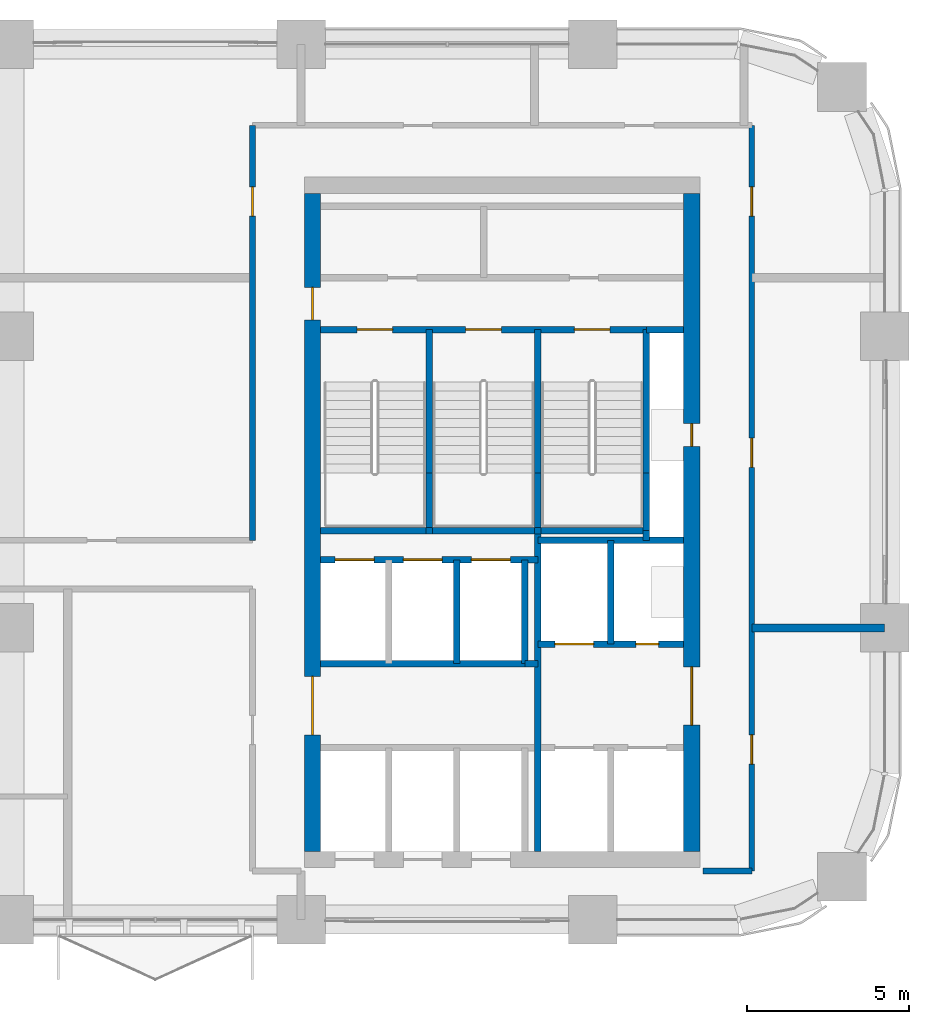
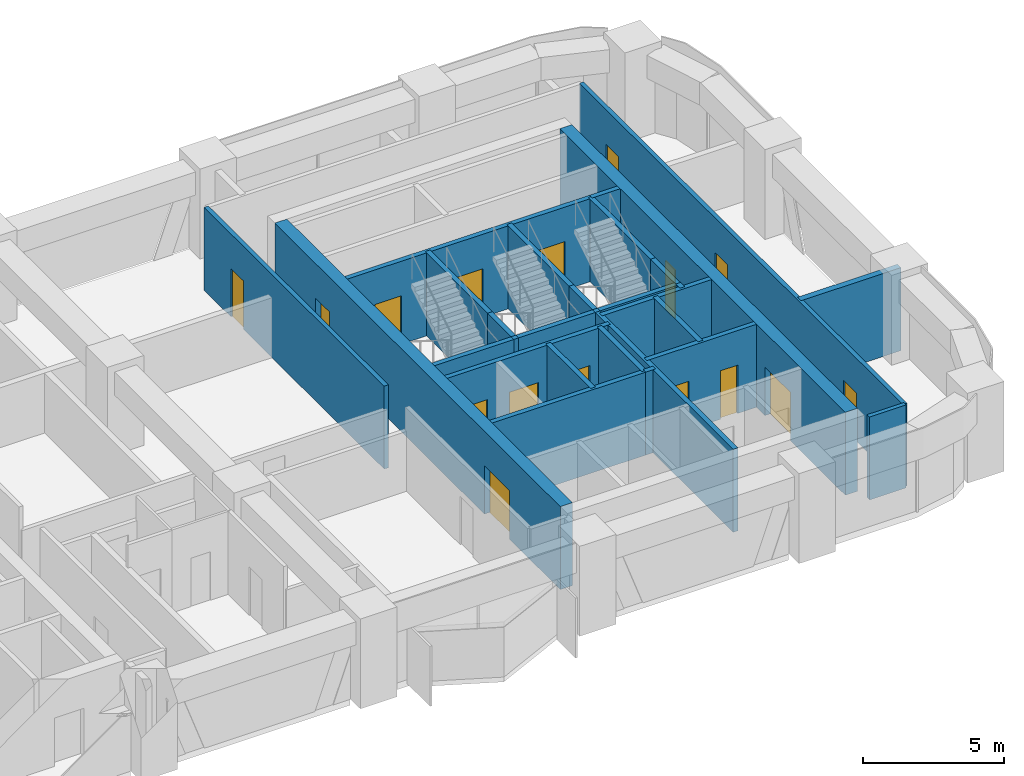
# One storey, part 11 of 14: 29 walls, 16 doors, 16 openings.
"""IFC4 building model written with IfcOpenShell, lengths in metres."""

from ifc_helpers import new_model, si_unit, direction, frame, frame_2d, origin, place, context, subcontext, project, spatial, rectangle, extrude, material, layer, layer_set, type_object, element, fill, save


model = new_model("IFC4")

# Units and contexts
model_context = context("Model", 3, precision=1e-05, world=origin(), true_north=direction((0.0, 1.0)))
body_context = subcontext(model_context, "Body", "Model", "MODEL_VIEW")
ifc_project = project(units=[si_unit("LENGTHUNIT", "METRE"), si_unit("AREAUNIT", "SQUARE_METRE"), si_unit("VOLUMEUNIT", "CUBIC_METRE"), si_unit("PLANEANGLEUNIT", "RADIAN"), si_unit("MASSUNIT", "GRAM", prefix="KILO")], contexts=[model_context])

# Site, building, storey
site_placement = place(None, origin())
site = spatial("IfcSite", under=ifc_project, at=site_placement, CompositionType="ELEMENT")
building_placement = place(site_placement, origin())
building = spatial("IfcBuilding", under=site, at=building_placement, Name="Tessera Arch", CompositionType="ELEMENT")
storey_placement = place(building_placement, frame((0.0, 0.0, 146.60009765625)))
storey = spatial("IfcBuildingStorey", under=building, at=storey_placement, Name="L34", CompositionType="ELEMENT", Elevation=146.60009765625)

# Wall
ifc_material_1 = material(Name="Gypsum board on steel stud", Category="steel")
ifc_layer_1 = layer(ifc_material_1, 0.125)
ifc_layer_set_1 = layer_set([ifc_layer_1], Name="Core partition 125 EI 60")
wall_type_1 = type_object("IfcWallType", Name="Core partition 125 EI 60", PredefinedType="PARTITIONING", material=ifc_layer_set_1)
wall_1_placement = place(storey_placement, frame((42.89990234375, 34.89990234375, 0.0), z_axis=(0.0, 0.0, 1.0), x_axis=(1.0, 0.0, 0.0)))
element("IfcWall", 1, at=wall_1_placement, inside=storey, type_object=wall_type_1, Name="L34 C1 partition wall 19", PredefinedType="PARTITIONING", context=body_context, shape_type="SweptSolid", body=[
    extrude(rectangle(XDim=0.400146484375, YDim=0.199951171875, at=frame_2d((0.2001953125, 0.0))), origin(), (0.0, 0.0, 1.0), 3.599853515625),
])

# Wall, openings, doors
ifc_material_2 = material(Name="Concrete C60/75", Category="concrete")
ifc_layer_2 = layer(ifc_material_2, 0.5)
ifc_layer_set_2 = layer_set([ifc_layer_2], Name="Core shell wall 500 C60-75")
wall_type_2 = type_object("IfcWallType", Name="Core shell wall 500 C60-75", PredefinedType="SHEAR", material=ifc_layer_set_2)
wall_2_placement = place(storey_placement, frame((36.35009765625, 29.10009765625, 0.0), z_axis=(0.0, 0.0, 1.0), x_axis=(0.0, 1.0, 0.0)))
wall_2 = element("IfcWall", 2, at=wall_2_placement, inside=storey, type_object=wall_type_2, Name="L34 C1 core wall W", PredefinedType="SHEAR", context=body_context, shape_type="SweptSolid", body=[
    extrude(rectangle(XDim=20.2998046875, YDim=0.5, at=frame_2d((10.14990234375, 0.0))), origin(), (0.0, 0.0, 1.0), 3.599853515625),
])
opening_1_placement = place(wall_2_placement, frame((3.60009765625, 0.0, 0.0)))
opening_1 = element("IfcOpeningElement", 3, at=opening_1_placement, cuts=wall_2, Name="Opening L34-C10", PredefinedType="OPENING", context=body_context, shape_type="SweptSolid", body=[
    extrude(rectangle(XDim=1.800048828125, YDim=2.10009765625, at=frame_2d((0.89990234375, 1.050048828125))), frame((0.0, 0.260009765625, 0.0), z_axis=(0.0, -1.0, 0.0), x_axis=(1.0, 0.0, 0.0)), (0.0, 0.0, 1.0), 0.52001953125),
])
opening_2_placement = place(wall_2_placement, frame((16.39990234375, 0.0, 0.0)))
opening_2 = element("IfcOpeningElement", 4, at=opening_2_placement, cuts=wall_2, Name="Opening L34-C17", PredefinedType="OPENING", context=body_context, shape_type="SweptSolid", body=[
    extrude(rectangle(XDim=1.0, YDim=2.10009765625, at=frame_2d((0.5, 1.050048828125))), frame((0.0, 0.260009765625, 0.0), z_axis=(0.0, -1.0, 0.0), x_axis=(1.0, 0.0, 0.0)), (0.0, 0.0, 1.0), 0.52001953125),
])
ifc_material_3 = material(Name="Steel door leaf", Category="steel")
door_type_1 = type_object("IfcDoorType", Name="Corridor door FD60 1000 x 2100", OperationType="SINGLE_SWING_LEFT", PredefinedType="DOOR", material=ifc_material_3)
door_1_placement = place(opening_2_placement, origin())
door_1 = element("IfcDoor", 5, at=door_1_placement, inside=storey, type_object=door_type_1, Name="L34 C1 door 17 C17 type D12", OperationType="SINGLE_SWING_RIGHT", OverallHeight=2.10009765625, OverallWidth=1.0, PredefinedType="DOOR", context=body_context, shape_type="SweptSolid", body=[
    extrude(rectangle(XDim=1.0, YDim=2.10009765625, at=frame_2d((0.5, 1.050048828125))), frame((0.0, 0.02490234375, 0.0), z_axis=(0.0, -1.0, 0.0), x_axis=(1.0, 0.0, 0.0)), (0.0, 0.0, 1.0), 0.050048828125),
])
fill(opening_2, door_1)
ifc_material_4 = material(Name="Glazed steel door leaf", Category="steel")
door_type_2 = type_object("IfcDoorType", Name="Lobby double door FD30S 1800 x 2100", OperationType="DOUBLE_DOOR_SINGLE_SWING", PredefinedType="DOOR", material=ifc_material_4)
door_2_placement = place(opening_1_placement, origin())
door_2 = element("IfcDoor", 6, at=door_2_placement, inside=storey, type_object=door_type_2, Name="L34 C1 door 10 C10 type D06", OperationType="DOUBLE_DOOR_SINGLE_SWING", OverallHeight=2.10009765625, OverallWidth=1.800048828125, PredefinedType="DOOR", context=body_context, shape_type="SweptSolid", body=[
    extrude(rectangle(XDim=1.800048828125, YDim=2.10009765625, at=frame_2d((0.89990234375, 1.050048828125))), frame((0.0, 0.02490234375, 0.0), z_axis=(0.0, -1.0, 0.0), x_axis=(1.0, 0.0, 0.0)), (0.0, 0.0, 1.0), 0.050048828125),
])
fill(opening_1, door_2)

wall_3_placement = place(storey_placement, frame((48.050048828125, 29.10009765625, 0.0), z_axis=(0.0, 0.0, 1.0), x_axis=(0.0, 1.0, 0.0)))
wall_3 = element("IfcWall", 7, at=wall_3_placement, inside=storey, type_object=wall_type_2, Name="L34 C1 core wall E", PredefinedType="SHEAR", context=body_context, shape_type="SweptSolid", body=[
    extrude(rectangle(XDim=20.2998046875, YDim=0.5, at=frame_2d((10.14990234375, 0.0))), origin(), (0.0, 0.0, 1.0), 3.599853515625),
])
opening_3_placement = place(wall_3_placement, frame((12.5, 0.0, 0.0)))
opening_3 = element("IfcOpeningElement", 8, at=opening_3_placement, cuts=wall_3, Name="Opening L34-C14", PredefinedType="OPENING", context=body_context, shape_type="SweptSolid", body=[
    extrude(rectangle(XDim=0.699951171875, YDim=2.10009765625, at=frame_2d((0.35009765625, 1.050048828125))), frame((0.0, 0.260009765625, 0.0), z_axis=(0.0, -1.0, 0.0), x_axis=(1.0, 0.0, 0.0)), (0.0, 0.0, 1.0), 0.52001953125),
])
opening_4_placement = place(wall_3_placement, frame((3.89990234375, 0.0, 0.0)))
opening_4 = element("IfcOpeningElement", 9, at=opening_4_placement, cuts=wall_3, Name="Opening L34-C15", PredefinedType="OPENING", context=body_context, shape_type="SweptSolid", body=[
    extrude(rectangle(XDim=1.800048828125, YDim=2.10009765625, at=frame_2d((0.89990234375, 1.050048828125))), frame((0.0, 0.260009765625, 0.0), z_axis=(0.0, -1.0, 0.0), x_axis=(1.0, 0.0, 0.0)), (0.0, 0.0, 1.0), 0.52001953125),
])
ifc_material_5 = material(Name="Glazed steel door leaf", Category="steel")
door_type_3 = type_object("IfcDoorType", Name="Lobby double door FD60 1800 x 2100", OperationType="DOUBLE_DOOR_SINGLE_SWING", PredefinedType="DOOR", material=ifc_material_5)
door_3_placement = place(opening_4_placement, origin())
door_3 = element("IfcDoor", 10, at=door_3_placement, inside=storey, type_object=door_type_3, Name="L34 C1 door 15 C15 type D19", OperationType="DOUBLE_DOOR_SINGLE_SWING", OverallHeight=2.10009765625, OverallWidth=1.800048828125, PredefinedType="DOOR", context=body_context, shape_type="SweptSolid", body=[
    extrude(rectangle(XDim=1.800048828125, YDim=2.10009765625, at=frame_2d((0.89990234375, 1.050048828125))), frame((0.0, 0.02490234375, 0.0), z_axis=(0.0, -1.0, 0.0), x_axis=(1.0, 0.0, 0.0)), (0.0, 0.0, 1.0), 0.050048828125),
])
fill(opening_4, door_3)
ifc_material_6 = material(Name="Steel door leaf", Category="steel")
door_type_4 = type_object("IfcDoorType", Name="Service shaft door FD60 700 x 2100", OperationType="SINGLE_SWING_LEFT", PredefinedType="DOOR", material=ifc_material_6)
door_4_placement = place(opening_3_placement, origin())
door_4 = element("IfcDoor", 11, at=door_4_placement, inside=storey, type_object=door_type_4, Name="L34 C1 door 14 C14 type D07", OperationType="SINGLE_SWING_RIGHT", OverallHeight=2.10009765625, OverallWidth=0.699951171875, PredefinedType="DOOR", context=body_context, shape_type="SweptSolid", body=[
    extrude(rectangle(XDim=0.699951171875, YDim=2.10009765625, at=frame_2d((0.35009765625, 1.050048828125))), frame((0.0, 0.02490234375, 0.0), z_axis=(0.0, -1.0, 0.0), x_axis=(1.0, 0.0, 0.0)), (0.0, 0.0, 1.0), 0.050048828125),
])
fill(opening_3, door_4)

# Wall
ifc_material_7 = material(Name="Gypsum board on deep steel stud with mineral wool", Category="steel")
ifc_layer_3 = layer(ifc_material_7, 0.175048828125)
ifc_layer_set_3 = layer_set([ifc_layer_3], Name="Corridor wall 175 EI 60")
wall_type_3 = type_object("IfcWallType", Name="Corridor wall 175 EI 60", PredefinedType="PARTITIONING", material=ifc_layer_set_3)
wall_4_placement = place(storey_placement, frame((48.39990234375, 28.5, 0.0), z_axis=(0.0, 0.0, 1.0), x_axis=(1.0, 0.0, 0.0)))
element("IfcWall", 12, at=wall_4_placement, inside=storey, type_object=wall_type_3, Name="L34 partition 4", PredefinedType="PARTITIONING", context=body_context, shape_type="SweptSolid", body=[
    extrude(rectangle(XDim=1.5, YDim=0.175048828125, at=frame_2d((0.75, 0.0))), origin(), (0.0, 0.0, 1.0), 3.599853515625),
])

# Wall, opening, door
wall_5_placement = place(storey_placement, frame((34.5, 38.699951171875, 0.0), z_axis=(0.0, 0.0, 1.0), x_axis=(0.0, 1.0, 0.0)))
wall_5 = element("IfcWall", 13, at=wall_5_placement, inside=storey, type_object=wall_type_3, Name="L34 partition 13", PredefinedType="PARTITIONING", context=body_context, shape_type="SweptSolid", body=[
    extrude(rectangle(XDim=12.800048828125, YDim=0.175048828125, at=frame_2d((6.39990234375, 0.0))), origin(), (0.0, 0.0, 1.0), 3.599853515625),
])
opening_5_placement = place(wall_5_placement, frame((10.0, 0.0, 0.0)))
opening_5 = element("IfcOpeningElement", 14, at=opening_5_placement, cuts=wall_5, Name="Opening L34-D015", PredefinedType="OPENING", context=body_context, shape_type="SweptSolid", body=[
    extrude(rectangle(XDim=0.89990234375, YDim=2.10009765625, at=frame_2d((0.449951171875, 1.050048828125))), frame((0.0, 0.097412109375, 0.0), z_axis=(0.0, -1.0, 0.0), x_axis=(1.0, 0.0, 0.0)), (0.0, 0.0, 1.0), 0.195068359375),
])
ifc_material_8 = material(Name="Timber door leaf", Category="wood")
door_type_5 = type_object("IfcDoorType", Name="Room door 900 x 2100", OperationType="SINGLE_SWING_LEFT", PredefinedType="DOOR", material=ifc_material_8)
door_5_placement = place(opening_5_placement, origin())
door_5 = element("IfcDoor", 15, at=door_5_placement, inside=storey, type_object=door_type_5, Name="L34 door D015 type D01", OperationType="SINGLE_SWING_LEFT", OverallHeight=2.10009765625, OverallWidth=0.89990234375, PredefinedType="DOOR", context=body_context, shape_type="SweptSolid", body=[
    extrude(rectangle(XDim=0.89990234375, YDim=2.10009765625, at=frame_2d((0.449951171875, 1.050048828125))), frame((0.0, 0.02490234375, 0.0), z_axis=(0.0, -1.0, 0.0), x_axis=(1.0, 0.0, 0.0)), (0.0, 0.0, 1.0), 0.050048828125),
])
fill(opening_5, door_5)

# Wall, openings, doors
wall_6_placement = place(storey_placement, frame((49.89990234375, 28.5, 0.0), z_axis=(0.0, 0.0, 1.0), x_axis=(0.0, 1.0, 0.0)))
wall_6 = element("IfcWall", 16, at=wall_6_placement, inside=storey, type_object=wall_type_3, Name="L34 partition 14", PredefinedType="PARTITIONING", context=body_context, shape_type="SweptSolid", body=[
    extrude(rectangle(XDim=23.0, YDim=0.175048828125, at=frame_2d((11.5, 0.0))), origin(), (0.0, 0.0, 1.0), 3.599853515625),
])
opening_6_placement = place(wall_6_placement, frame((3.300048828125, 0.0, 0.0)))
opening_6 = element("IfcOpeningElement", 17, at=opening_6_placement, cuts=wall_6, Name="Opening L34-D002", PredefinedType="OPENING", context=body_context, shape_type="SweptSolid", body=[
    extrude(rectangle(XDim=0.89990234375, YDim=2.10009765625, at=frame_2d((0.449951171875, 1.050048828125))), frame((0.0, 0.097412109375, 0.0), z_axis=(0.0, -1.0, 0.0), x_axis=(1.0, 0.0, 0.0)), (0.0, 0.0, 1.0), 0.195068359375),
])
opening_7_placement = place(wall_6_placement, frame((12.449951171875, 0.0, 0.0)))
opening_7 = element("IfcOpeningElement", 18, at=opening_7_placement, cuts=wall_6, Name="Opening L34-D010", PredefinedType="OPENING", context=body_context, shape_type="SweptSolid", body=[
    extrude(rectangle(XDim=0.89990234375, YDim=2.10009765625, at=frame_2d((0.449951171875, 1.050048828125))), frame((0.0, 0.097412109375, 0.0), z_axis=(0.0, -1.0, 0.0), x_axis=(1.0, 0.0, 0.0)), (0.0, 0.0, 1.0), 0.195068359375),
])
opening_8_placement = place(wall_6_placement, frame((20.199951171875, 0.0, 0.0)))
opening_8 = element("IfcOpeningElement", 19, at=opening_8_placement, cuts=wall_6, Name="Opening L34-D014", PredefinedType="OPENING", context=body_context, shape_type="SweptSolid", body=[
    extrude(rectangle(XDim=0.89990234375, YDim=2.10009765625, at=frame_2d((0.449951171875, 1.050048828125))), frame((0.0, 0.097412109375, 0.0), z_axis=(0.0, -1.0, 0.0), x_axis=(1.0, 0.0, 0.0)), (0.0, 0.0, 1.0), 0.195068359375),
])
door_6_placement = place(opening_6_placement, origin())
door_6 = element("IfcDoor", 20, at=door_6_placement, inside=storey, type_object=door_type_5, Name="L34 door D002 type D01", OperationType="SINGLE_SWING_LEFT", OverallHeight=2.10009765625, OverallWidth=0.89990234375, PredefinedType="DOOR", context=body_context, shape_type="SweptSolid", body=[
    extrude(rectangle(XDim=0.89990234375, YDim=2.10009765625, at=frame_2d((0.449951171875, 1.050048828125))), frame((0.0, 0.02490234375, 0.0), z_axis=(0.0, -1.0, 0.0), x_axis=(1.0, 0.0, 0.0)), (0.0, 0.0, 1.0), 0.050048828125),
])
fill(opening_6, door_6)
door_7_placement = place(opening_7_placement, origin())
door_7 = element("IfcDoor", 21, at=door_7_placement, inside=storey, type_object=door_type_5, Name="L34 door D010 type D01", OperationType="SINGLE_SWING_LEFT", OverallHeight=2.10009765625, OverallWidth=0.89990234375, PredefinedType="DOOR", context=body_context, shape_type="SweptSolid", body=[
    extrude(rectangle(XDim=0.89990234375, YDim=2.10009765625, at=frame_2d((0.449951171875, 1.050048828125))), frame((0.0, 0.02490234375, 0.0), z_axis=(0.0, -1.0, 0.0), x_axis=(1.0, 0.0, 0.0)), (0.0, 0.0, 1.0), 0.050048828125),
])
fill(opening_7, door_7)
door_8_placement = place(opening_8_placement, origin())
door_8 = element("IfcDoor", 22, at=door_8_placement, inside=storey, type_object=door_type_5, Name="L34 door D014 type D01", OperationType="SINGLE_SWING_LEFT", OverallHeight=2.10009765625, OverallWidth=0.89990234375, PredefinedType="DOOR", context=body_context, shape_type="SweptSolid", body=[
    extrude(rectangle(XDim=0.89990234375, YDim=2.10009765625, at=frame_2d((0.449951171875, 1.050048828125))), frame((0.0, 0.02490234375, 0.0), z_axis=(0.0, -1.0, 0.0), x_axis=(1.0, 0.0, 0.0)), (0.0, 0.0, 1.0), 0.050048828125),
])
fill(opening_8, door_8)

# Walls
ifc_material_9 = material(Name="Double gypsum board on twin steel stud with acoustic mineral wool", Category="steel")
ifc_layer_4 = layer(ifc_material_9, 0.25)
ifc_layer_set_4 = layer_set([ifc_layer_4], Name="Party wall 250 EI 60")
wall_type_4 = type_object("IfcWallType", Name="Party wall 250 EI 60", PredefinedType="PARTITIONING", material=ifc_layer_set_4)
wall_7_placement = place(storey_placement, frame((49.89990234375, 36.0, 0.0), z_axis=(0.0, 0.0, 1.0), x_axis=(1.0, 0.0, 0.0)))
element("IfcWall", 23, at=wall_7_placement, inside=storey, type_object=wall_type_4, Name="L34 partition 19", PredefinedType="PARTITIONING", context=body_context, shape_type="SweptSolid", body=[
    extrude(rectangle(XDim=4.10009765625, YDim=0.25, at=frame_2d((2.050048828125, 0.0))), origin(), (0.0, 0.0, 1.0), 3.599853515625),
])
ifc_material_10 = material(Name="Concrete C40/50", Category="concrete")
ifc_layer_5 = layer(ifc_material_10, 0.199951171875)
ifc_layer_set_5 = layer_set([ifc_layer_5], Name="Shaft wall 200 EI 120")
wall_type_5 = type_object("IfcWallType", Name="Shaft wall 200 EI 120", PredefinedType="SOLIDWALL", material=ifc_layer_set_5)
for number, where, z_axis, x_axis, name in (
    (24, (40.800048828125, 34.89990234375, 0.0), (0.0, 0.0, 1.0), (0.0, 1.0, 0.0), "L34 C1 shaft wall 6"),
    (25, (42.89990234375, 34.89990234375, 0.0), (0.0, 0.0, 1.0), (0.0, 1.0, 0.0), "L34 C1 shaft wall 9"),
):
    element("IfcWall", number, at=place(storey_placement, frame(where, z_axis=z_axis, x_axis=x_axis)), inside=storey, type_object=wall_type_5, Name=name, PredefinedType="SOLIDWALL", context=body_context, shape_type="SweptSolid", body=[
        extrude(rectangle(XDim=3.2001953125, YDim=0.199951171875, at=frame_2d((1.60009765625, 0.0))), origin(), (0.0, 0.0, 1.0), 3.599853515625),
    ])
wall_8_placement = place(storey_placement, frame((43.300048828125, 29.10009765625, 0.0), z_axis=(0.0, 0.0, 1.0), x_axis=(0.0, 1.0, 0.0)))
element("IfcWall", 26, at=wall_8_placement, inside=storey, type_object=wall_type_5, Name="L34 C1 shaft wall 10", PredefinedType="SOLIDWALL", context=body_context, shape_type="SweptSolid", body=[
    extrude(rectangle(XDim=9.89990234375, YDim=0.199951171875, at=frame_2d((4.949951171875, 0.0))), origin(), (0.0, 0.0, 1.0), 3.599853515625),
])
wall_9_placement = place(storey_placement, frame((45.550048828125, 35.5, 0.0), z_axis=(0.0, 0.0, 1.0), x_axis=(0.0, 1.0, 0.0)))
element("IfcWall", 27, at=wall_9_placement, inside=storey, type_object=wall_type_5, Name="L34 C1 shaft wall 14", PredefinedType="SOLIDWALL", context=body_context, shape_type="SweptSolid", body=[
    extrude(rectangle(XDim=3.199951171875, YDim=0.199951171875, at=frame_2d((1.60009765625, 0.0))), origin(), (0.0, 0.0, 1.0), 3.599853515625),
])
wall_10_placement = place(storey_placement, frame((46.64990234375, 38.699951171875, 0.0), z_axis=(0.0, 0.0, 1.0), x_axis=(0.0, 1.0, 0.0)))
element("IfcWall", 28, at=wall_10_placement, inside=storey, type_object=wall_type_5, Name="L34 C1 shaft wall 15", PredefinedType="SOLIDWALL", context=body_context, shape_type="SweptSolid", body=[
    extrude(rectangle(XDim=0.300048828125, YDim=0.199951171875, at=frame_2d((0.14990234375, 0.0))), origin(), (0.0, 0.0, 1.0), 3.599853515625),
])
wall_11_placement = place(storey_placement, frame((36.60009765625, 34.89990234375, 0.0), z_axis=(0.0, 0.0, 1.0), x_axis=(1.0, 0.0, 0.0)))
element("IfcWall", 29, at=wall_11_placement, inside=storey, type_object=wall_type_5, Name="L34 C1 shaft wall 20", PredefinedType="SOLIDWALL", context=body_context, shape_type="SweptSolid", body=[
    extrude(rectangle(XDim=6.2998046875, YDim=0.199951171875, at=frame_2d((3.14990234375, 0.0))), origin(), (0.0, 0.0, 1.0), 3.599853515625),
])

# Wall, openings, doors
wall_12_placement = place(storey_placement, frame((43.300048828125, 35.5, 0.0), z_axis=(0.0, 0.0, 1.0), x_axis=(1.0, 0.0, 0.0)))
wall_12 = element("IfcWall", 30, at=wall_12_placement, inside=storey, type_object=wall_type_5, Name="L34 C1 shaft wall 21", PredefinedType="SOLIDWALL", context=body_context, shape_type="SweptSolid", body=[
    extrude(rectangle(XDim=4.5, YDim=0.199951171875, at=frame_2d((2.25, 0.0))), origin(), (0.0, 0.0, 1.0), 3.599853515625),
])
opening_9_placement = place(wall_12_placement, frame((0.52490234375, 0.0, 0.0)))
opening_9 = element("IfcOpeningElement", 31, at=opening_9_placement, cuts=wall_12, Name="Opening L34-C09", PredefinedType="OPENING", context=body_context, shape_type="SweptSolid", body=[
    extrude(rectangle(XDim=1.199951171875, YDim=2.10009765625, at=frame_2d((0.60009765625, 1.050048828125))), frame((0.0, 0.10986328125, 0.0), z_axis=(0.0, -1.0, 0.0), x_axis=(1.0, 0.0, 0.0)), (0.0, 0.0, 1.0), 0.219970703125),
])
opening_10_placement = place(wall_12_placement, frame((3.02490234375, 0.0, 0.0)))
opening_10 = element("IfcOpeningElement", 32, at=opening_10_placement, cuts=wall_12, Name="Opening L34-C16", PredefinedType="OPENING", context=body_context, shape_type="SweptSolid", body=[
    extrude(rectangle(XDim=0.699951171875, YDim=2.10009765625, at=frame_2d((0.35009765625, 1.050048828125))), frame((0.0, 0.10986328125, 0.0), z_axis=(0.0, -1.0, 0.0), x_axis=(1.0, 0.0, 0.0)), (0.0, 0.0, 1.0), 0.219970703125),
])
door_9_placement = place(opening_10_placement, origin())
door_9 = element("IfcDoor", 33, at=door_9_placement, inside=storey, type_object=door_type_4, Name="L34 C1 door 16 C16 type D07", OperationType="SINGLE_SWING_RIGHT", OverallHeight=2.10009765625, OverallWidth=0.699951171875, PredefinedType="DOOR", context=body_context, shape_type="SweptSolid", body=[
    extrude(rectangle(XDim=0.699951171875, YDim=2.10009765625, at=frame_2d((0.35009765625, 1.050048828125))), frame((0.0, 0.02490234375, 0.0), z_axis=(0.0, -1.0, 0.0), x_axis=(1.0, 0.0, 0.0)), (0.0, 0.0, 1.0), 0.050048828125),
])
fill(opening_10, door_9)
ifc_material_11 = material(Name="Stainless steel AISI 304", Category="steel")
door_type_6 = type_object("IfcDoorType", Name="Sliding landing door 1200 x 2100", OperationType="SLIDING_TO_LEFT", PredefinedType="DOOR", material=ifc_material_11)
door_10_placement = place(opening_9_placement, origin())
door_10 = element("IfcDoor", 34, at=door_10_placement, inside=storey, type_object=door_type_6, Name="L34 SV2 lift landing door C09 type LD", OperationType="SLIDING_TO_LEFT", OverallHeight=2.10009765625, OverallWidth=1.199951171875, PredefinedType="DOOR", context=body_context, shape_type="SweptSolid", body=[
    extrude(rectangle(XDim=1.199951171875, YDim=2.10009765625, at=frame_2d((0.60009765625, 1.050048828125))), frame((0.0, 0.02490234375, 0.0), z_axis=(0.0, -1.0, 0.0), x_axis=(1.0, 0.0, 0.0)), (0.0, 0.0, 1.0), 0.050048828125),
])
fill(opening_9, door_10)

wall_13_placement = place(storey_placement, frame((36.60009765625, 38.10009765625, 0.0), z_axis=(0.0, 0.0, 1.0), x_axis=(1.0, 0.0, 0.0)))
wall_13 = element("IfcWall", 35, at=wall_13_placement, inside=storey, type_object=wall_type_5, Name="L34 C1 shaft wall 22", PredefinedType="SOLIDWALL", context=body_context, shape_type="SweptSolid", body=[
    extrude(rectangle(XDim=6.699951171875, YDim=0.199951171875, at=frame_2d((3.35009765625, 0.0))), origin(), (0.0, 0.0, 1.0), 3.599853515625),
])
opening_11_placement = place(wall_13_placement, frame((0.449951171875, 0.0, 0.0)))
opening_11 = element("IfcOpeningElement", 36, at=opening_11_placement, cuts=wall_13, Name="Opening L34-C02", PredefinedType="OPENING", context=body_context, shape_type="SweptSolid", body=[
    extrude(rectangle(XDim=1.199951171875, YDim=2.10009765625, at=frame_2d((0.60009765625, 1.050048828125))), frame((0.0, 0.10986328125, 0.0), z_axis=(0.0, -1.0, 0.0), x_axis=(1.0, 0.0, 0.0)), (0.0, 0.0, 1.0), 0.219970703125),
])
opening_12_placement = place(wall_13_placement, frame((2.550048828125, 0.0, 0.0)))
opening_12 = element("IfcOpeningElement", 37, at=opening_12_placement, cuts=wall_13, Name="Opening L34-C04", PredefinedType="OPENING", context=body_context, shape_type="SweptSolid", body=[
    extrude(rectangle(XDim=1.199951171875, YDim=2.10009765625, at=frame_2d((0.60009765625, 1.050048828125))), frame((0.0, 0.10986328125, 0.0), z_axis=(0.0, -1.0, 0.0), x_axis=(1.0, 0.0, 0.0)), (0.0, 0.0, 1.0), 0.219970703125),
])
opening_13_placement = place(wall_13_placement, frame((4.64990234375, 0.0, 0.0)))
opening_13 = element("IfcOpeningElement", 38, at=opening_13_placement, cuts=wall_13, Name="Opening L34-C06", PredefinedType="OPENING", context=body_context, shape_type="SweptSolid", body=[
    extrude(rectangle(XDim=1.199951171875, YDim=2.10009765625, at=frame_2d((0.60009765625, 1.050048828125))), frame((0.0, 0.10986328125, 0.0), z_axis=(0.0, -1.0, 0.0), x_axis=(1.0, 0.0, 0.0)), (0.0, 0.0, 1.0), 0.219970703125),
])
door_11_placement = place(opening_11_placement, origin())
door_11 = element("IfcDoor", 39, at=door_11_placement, inside=storey, type_object=door_type_6, Name="L34 HR4 lift landing door C02 type LD", OperationType="SLIDING_TO_LEFT", OverallHeight=2.10009765625, OverallWidth=1.199951171875, PredefinedType="DOOR", context=body_context, shape_type="SweptSolid", body=[
    extrude(rectangle(XDim=1.199951171875, YDim=2.10009765625, at=frame_2d((0.60009765625, 1.050048828125))), frame((0.0, 0.02490234375, 0.0), z_axis=(0.0, -1.0, 0.0), x_axis=(1.0, 0.0, 0.0)), (0.0, 0.0, 1.0), 0.050048828125),
])
fill(opening_11, door_11)
door_12_placement = place(opening_12_placement, origin())
door_12 = element("IfcDoor", 40, at=door_12_placement, inside=storey, type_object=door_type_6, Name="L34 HR5 lift landing door C04 type LD", OperationType="SLIDING_TO_LEFT", OverallHeight=2.10009765625, OverallWidth=1.199951171875, PredefinedType="DOOR", context=body_context, shape_type="SweptSolid", body=[
    extrude(rectangle(XDim=1.199951171875, YDim=2.10009765625, at=frame_2d((0.60009765625, 1.050048828125))), frame((0.0, 0.02490234375, 0.0), z_axis=(0.0, -1.0, 0.0), x_axis=(1.0, 0.0, 0.0)), (0.0, 0.0, 1.0), 0.050048828125),
])
fill(opening_12, door_12)
door_13_placement = place(opening_13_placement, origin())
door_13 = element("IfcDoor", 41, at=door_13_placement, inside=storey, type_object=door_type_6, Name="L34 HR6 lift landing door C06 type LD", OperationType="SLIDING_TO_LEFT", OverallHeight=2.10009765625, OverallWidth=1.199951171875, PredefinedType="DOOR", context=body_context, shape_type="SweptSolid", body=[
    extrude(rectangle(XDim=1.199951171875, YDim=2.10009765625, at=frame_2d((0.60009765625, 1.050048828125))), frame((0.0, 0.02490234375, 0.0), z_axis=(0.0, -1.0, 0.0), x_axis=(1.0, 0.0, 0.0)), (0.0, 0.0, 1.0), 0.050048828125),
])
fill(opening_13, door_13)

# Walls
wall_14_placement = place(storey_placement, frame((43.300048828125, 38.699951171875, 0.0), z_axis=(0.0, 0.0, 1.0), x_axis=(1.0, 0.0, 0.0)))
element("IfcWall", 42, at=wall_14_placement, inside=storey, type_object=wall_type_5, Name="L34 C1 shaft wall 23", PredefinedType="SOLIDWALL", context=body_context, shape_type="SweptSolid", body=[
    extrude(rectangle(XDim=4.5, YDim=0.199951171875, at=frame_2d((2.25, 0.0))), origin(), (0.0, 0.0, 1.0), 3.599853515625),
])
wall_15_placement = place(storey_placement, frame((46.64990234375, 45.199951171875, 0.0), z_axis=(0.0, 0.0, 1.0), x_axis=(1.0, 0.0, 0.0)))
element("IfcWall", 43, at=wall_15_placement, inside=storey, type_object=wall_type_5, Name="L34 C1 shaft wall 29", PredefinedType="SOLIDWALL", context=body_context, shape_type="SweptSolid", body=[
    extrude(rectangle(XDim=1.150146484375, YDim=0.199951171875, at=frame_2d((0.5751953125, 0.0))), origin(), (0.0, 0.0, 1.0), 3.599853515625),
])
ifc_material_12 = material(Name="Concrete C40/50", Category="concrete")
ifc_layer_6 = layer(ifc_material_12, 0.199951171875)
ifc_layer_set_6 = layer_set([ifc_layer_6], Name="Stair well wall 200 REI 180")
wall_type_6 = type_object("IfcWallType", Name="Stair well wall 200 REI 180", PredefinedType="SOLIDWALL", material=ifc_layer_set_6)
wall_16_placement = place(storey_placement, frame((39.949951171875, 39.0, 0.0), z_axis=(0.0, 0.0, 1.0), x_axis=(0.0, 1.0, 0.0)))
element("IfcWall", 44, at=wall_16_placement, inside=storey, type_object=wall_type_6, Name="L34 C1 shaft wall 3", PredefinedType="SOLIDWALL", context=body_context, shape_type="SweptSolid", body=[
    extrude(rectangle(XDim=1.780029296875, YDim=0.199951171875, at=frame_2d((0.89013671875, 0.0))), origin(), (0.0, 0.0, 1.0), 3.599853515625),
])
wall_17_placement = place(storey_placement, frame((39.949951171875, 40.780029296875, 0.0), z_axis=(0.0, 0.0, 1.0), x_axis=(0.0, 1.0, 0.0)))
element("IfcWall", 45, at=wall_17_placement, inside=storey, type_object=wall_type_6, Name="L34 C1 shaft wall 4", PredefinedType="SOLIDWALL", context=body_context, shape_type="SweptSolid", body=[
    extrude(rectangle(XDim=4.419921875, YDim=0.199951171875, at=frame_2d((2.2099609375, 0.0))), origin(), (0.0, 0.0, 1.0), 3.599853515625),
])
wall_18_placement = place(storey_placement, frame((43.300048828125, 39.0, 0.0), z_axis=(0.0, 0.0, 1.0), x_axis=(0.0, 1.0, 0.0)))
element("IfcWall", 46, at=wall_18_placement, inside=storey, type_object=wall_type_6, Name="L34 C1 shaft wall 11", PredefinedType="SOLIDWALL", context=body_context, shape_type="SweptSolid", body=[
    extrude(rectangle(XDim=1.780029296875, YDim=0.199951171875, at=frame_2d((0.89013671875, 0.0))), origin(), (0.0, 0.0, 1.0), 3.599853515625),
])
wall_19_placement = place(storey_placement, frame((43.300048828125, 40.780029296875, 0.0), z_axis=(0.0, 0.0, 1.0), x_axis=(0.0, 1.0, 0.0)))
element("IfcWall", 47, at=wall_19_placement, inside=storey, type_object=wall_type_6, Name="L34 C1 shaft wall 12", PredefinedType="SOLIDWALL", context=body_context, shape_type="SweptSolid", body=[
    extrude(rectangle(XDim=4.419921875, YDim=0.199951171875, at=frame_2d((2.2099609375, 0.0))), origin(), (0.0, 0.0, 1.0), 3.599853515625),
])
wall_20_placement = place(storey_placement, frame((46.64990234375, 39.0, 0.0), z_axis=(0.0, 0.0, 1.0), x_axis=(0.0, 1.0, 0.0)))
element("IfcWall", 48, at=wall_20_placement, inside=storey, type_object=wall_type_6, Name="L34 C1 shaft wall 16", PredefinedType="SOLIDWALL", context=body_context, shape_type="SweptSolid", body=[
    extrude(rectangle(XDim=1.780029296875, YDim=0.199951171875, at=frame_2d((0.89013671875, 0.0))), origin(), (0.0, 0.0, 1.0), 3.599853515625),
])
wall_21_placement = place(storey_placement, frame((46.64990234375, 40.780029296875, 0.0), z_axis=(0.0, 0.0, 1.0), x_axis=(0.0, 1.0, 0.0)))
element("IfcWall", 49, at=wall_21_placement, inside=storey, type_object=wall_type_6, Name="L34 C1 shaft wall 17", PredefinedType="SOLIDWALL", context=body_context, shape_type="SweptSolid", body=[
    extrude(rectangle(XDim=4.419921875, YDim=0.199951171875, at=frame_2d((2.2099609375, 0.0))), origin(), (0.0, 0.0, 1.0), 3.599853515625),
])
wall_22_placement = place(storey_placement, frame((36.60009765625, 39.0, 0.0), z_axis=(0.0, 0.0, 1.0), x_axis=(1.0, 0.0, 0.0)))
element("IfcWall", 50, at=wall_22_placement, inside=storey, type_object=wall_type_6, Name="L34 C1 shaft wall 24", PredefinedType="SOLIDWALL", context=body_context, shape_type="SweptSolid", body=[
    extrude(rectangle(XDim=3.25, YDim=0.199951171875, at=frame_2d((1.625, 0.0))), origin(), (0.0, 0.0, 1.0), 3.599853515625),
])
wall_23_placement = place(storey_placement, frame((39.85009765625, 39.0, 0.0), z_axis=(0.0, 0.0, 1.0), x_axis=(1.0, 0.0, 0.0)))
element("IfcWall", 51, at=wall_23_placement, inside=storey, type_object=wall_type_6, Name="L34 C1 shaft wall 25", PredefinedType="SOLIDWALL", context=body_context, shape_type="SweptSolid", body=[
    extrude(rectangle(XDim=0.199951171875, YDim=0.199951171875, at=frame_2d((0.10009765625, 0.0))), origin(), (0.0, 0.0, 1.0), 3.599853515625),
])
wall_24_placement = place(storey_placement, frame((40.050048828125, 39.0, 0.0), z_axis=(0.0, 0.0, 1.0), x_axis=(1.0, 0.0, 0.0)))
element("IfcWall", 52, at=wall_24_placement, inside=storey, type_object=wall_type_6, Name="L34 C1 shaft wall 26", PredefinedType="SOLIDWALL", context=body_context, shape_type="SweptSolid", body=[
    extrude(rectangle(XDim=3.14990234375, YDim=0.199951171875, at=frame_2d((1.574951171875, 0.0))), origin(), (0.0, 0.0, 1.0), 3.599853515625),
])
wall_25_placement = place(storey_placement, frame((43.199951171875, 39.0, 0.0), z_axis=(0.0, 0.0, 1.0), x_axis=(1.0, 0.0, 0.0)))
element("IfcWall", 53, at=wall_25_placement, inside=storey, type_object=wall_type_6, Name="L34 C1 shaft wall 27", PredefinedType="SOLIDWALL", context=body_context, shape_type="SweptSolid", body=[
    extrude(rectangle(XDim=0.199951171875, YDim=0.199951171875, at=frame_2d((0.10009765625, 0.0))), origin(), (0.0, 0.0, 1.0), 3.599853515625),
])
wall_26_placement = place(storey_placement, frame((43.39990234375, 39.0, 0.0), z_axis=(0.0, 0.0, 1.0), x_axis=(1.0, 0.0, 0.0)))
element("IfcWall", 54, at=wall_26_placement, inside=storey, type_object=wall_type_6, Name="L34 C1 shaft wall 28", PredefinedType="SOLIDWALL", context=body_context, shape_type="SweptSolid", body=[
    extrude(rectangle(XDim=3.25, YDim=0.199951171875, at=frame_2d((1.625, 0.0))), origin(), (0.0, 0.0, 1.0), 3.599853515625),
])

# Wall, openings, doors
wall_27_placement = place(storey_placement, frame((36.60009765625, 45.199951171875, 0.0), z_axis=(0.0, 0.0, 1.0), x_axis=(1.0, 0.0, 0.0)))
wall_27 = element("IfcWall", 55, at=wall_27_placement, inside=storey, type_object=wall_type_6, Name="L34 C1 shaft wall 30", PredefinedType="SOLIDWALL", context=body_context, shape_type="SweptSolid", body=[
    extrude(rectangle(XDim=10.0498046875, YDim=0.199951171875, at=frame_2d((5.02490234375, 0.0))), origin(), (0.0, 0.0, 1.0), 3.599853515625),
])
opening_14_placement = place(wall_27_placement, frame((1.125, 0.0, 0.0)))
opening_14 = element("IfcOpeningElement", 56, at=opening_14_placement, cuts=wall_27, Name="Opening L34-C11", PredefinedType="OPENING", context=body_context, shape_type="SweptSolid", body=[
    extrude(rectangle(XDim=1.10009765625, YDim=2.10009765625, at=frame_2d((0.550048828125, 1.050048828125))), frame((0.0, 0.10986328125, 0.0), z_axis=(0.0, -1.0, 0.0), x_axis=(1.0, 0.0, 0.0)), (0.0, 0.0, 1.0), 0.219970703125),
])
opening_15_placement = place(wall_27_placement, frame((4.47509765625, 0.0, 0.0)))
opening_15 = element("IfcOpeningElement", 57, at=opening_15_placement, cuts=wall_27, Name="Opening L34-C12", PredefinedType="OPENING", context=body_context, shape_type="SweptSolid", body=[
    extrude(rectangle(XDim=1.10009765625, YDim=2.10009765625, at=frame_2d((0.550048828125, 1.050048828125))), frame((0.0, 0.10986328125, 0.0), z_axis=(0.0, -1.0, 0.0), x_axis=(1.0, 0.0, 0.0)), (0.0, 0.0, 1.0), 0.219970703125),
])
opening_16_placement = place(wall_27_placement, frame((7.824951171875, 0.0, 0.0)))
opening_16 = element("IfcOpeningElement", 58, at=opening_16_placement, cuts=wall_27, Name="Opening L34-C13", PredefinedType="OPENING", context=body_context, shape_type="SweptSolid", body=[
    extrude(rectangle(XDim=1.10009765625, YDim=2.10009765625, at=frame_2d((0.550048828125, 1.050048828125))), frame((0.0, 0.10986328125, 0.0), z_axis=(0.0, -1.0, 0.0), x_axis=(1.0, 0.0, 0.0)), (0.0, 0.0, 1.0), 0.219970703125),
])
ifc_material_13 = material(Name="Steel door leaf", Category="steel")
door_type_7 = type_object("IfcDoorType", Name="Stair door FD60 1100 x 2100", OperationType="SINGLE_SWING_LEFT", PredefinedType="DOOR", material=ifc_material_13)
door_14_placement = place(opening_14_placement, origin())
door_14 = element("IfcDoor", 59, at=door_14_placement, inside=storey, type_object=door_type_7, Name="L34 C1 door 11 C11 type D05", OperationType="SINGLE_SWING_LEFT", OverallHeight=2.10009765625, OverallWidth=1.10009765625, PredefinedType="DOOR", context=body_context, shape_type="SweptSolid", body=[
    extrude(rectangle(XDim=1.10009765625, YDim=2.10009765625, at=frame_2d((0.550048828125, 1.050048828125))), frame((0.0, 0.02490234375, 0.0), z_axis=(0.0, -1.0, 0.0), x_axis=(1.0, 0.0, 0.0)), (0.0, 0.0, 1.0), 0.050048828125),
])
fill(opening_14, door_14)
door_15_placement = place(opening_15_placement, origin())
door_15 = element("IfcDoor", 60, at=door_15_placement, inside=storey, type_object=door_type_7, Name="L34 C1 door 12 C12 type D05", OperationType="SINGLE_SWING_RIGHT", OverallHeight=2.10009765625, OverallWidth=1.10009765625, PredefinedType="DOOR", context=body_context, shape_type="SweptSolid", body=[
    extrude(rectangle(XDim=1.10009765625, YDim=2.10009765625, at=frame_2d((0.550048828125, 1.050048828125))), frame((0.0, 0.02490234375, 0.0), z_axis=(0.0, -1.0, 0.0), x_axis=(1.0, 0.0, 0.0)), (0.0, 0.0, 1.0), 0.050048828125),
])
fill(opening_15, door_15)
door_16_placement = place(opening_16_placement, origin())
door_16 = element("IfcDoor", 61, at=door_16_placement, inside=storey, type_object=door_type_7, Name="L34 C1 door 13 C13 type D05", OperationType="SINGLE_SWING_RIGHT", OverallHeight=2.10009765625, OverallWidth=1.10009765625, PredefinedType="DOOR", context=body_context, shape_type="SweptSolid", body=[
    extrude(rectangle(XDim=1.10009765625, YDim=2.10009765625, at=frame_2d((0.550048828125, 1.050048828125))), frame((0.0, 0.02490234375, 0.0), z_axis=(0.0, -1.0, 0.0), x_axis=(1.0, 0.0, 0.0)), (0.0, 0.0, 1.0), 0.050048828125),
])
fill(opening_16, door_16)

save(model, "model.ifc")
